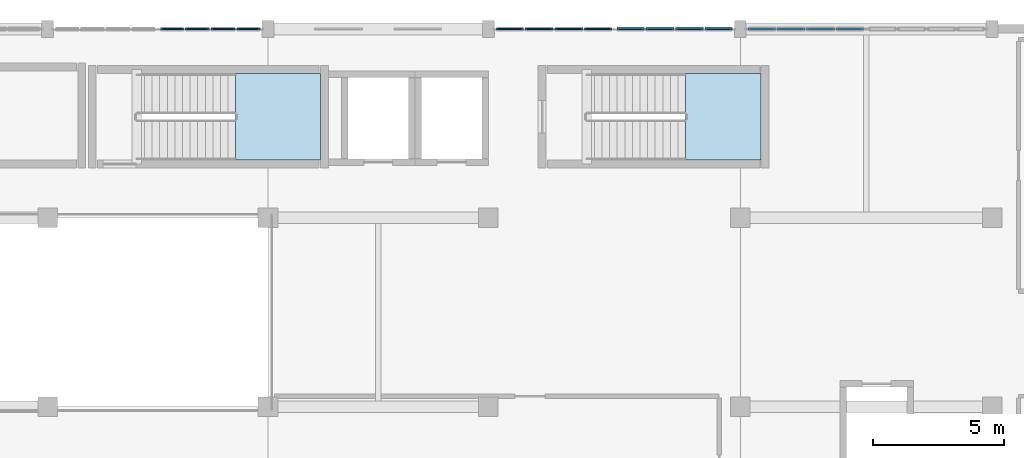
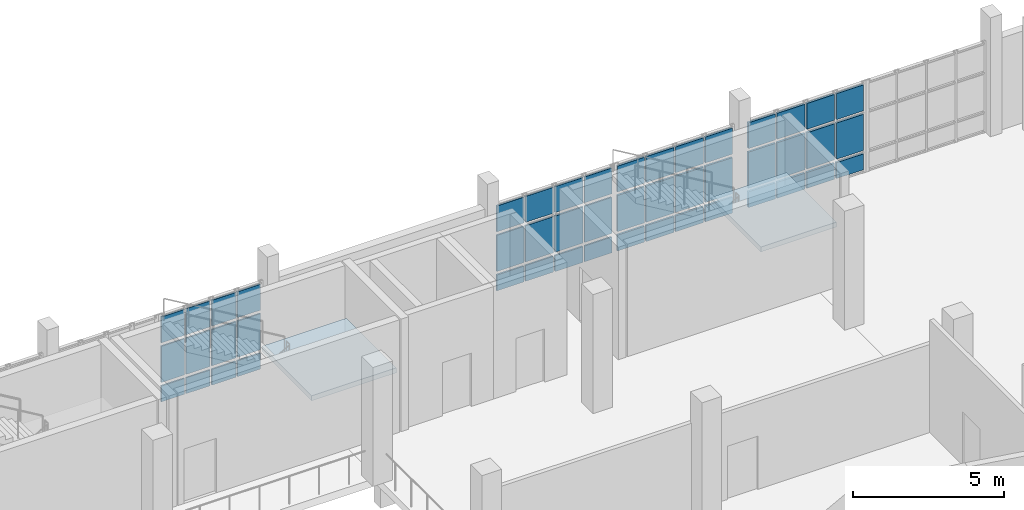
# One storey, part 73 of 106: 48 plates, 2 slabs, 6 elements without a shape of their own.
"""IFC4 building model written with IfcOpenShell, lengths in metres."""

from ifc_helpers import new_model, si_unit, direction, frame, origin, origin_2d, place, context, subcontext, project, spatial, polyline, rectangle, outline, extrude, material, layer, layer_set, type_object, element, aggregate, save


model = new_model("IFC4")

# Units and contexts
model_context = context("Model", 3, precision=1e-05, world=origin(), true_north=direction((0.0, 1.0)))
body_context = subcontext(model_context, "Body", "Model", "MODEL_VIEW")
ifc_project = project(units=[si_unit("LENGTHUNIT", "METRE"), si_unit("AREAUNIT", "SQUARE_METRE"), si_unit("VOLUMEUNIT", "CUBIC_METRE"), si_unit("PLANEANGLEUNIT", "RADIAN"), si_unit("MASSUNIT", "GRAM", prefix="KILO")], contexts=[model_context])

# Site, building, storey
site_placement = place(None, origin())
site = spatial("IfcSite", under=ifc_project, at=site_placement, CompositionType="ELEMENT")
building_placement = place(site_placement, origin())
building = spatial("IfcBuilding", under=site, at=building_placement, Name="Kisaragi Civic Commons", CompositionType="ELEMENT")
storey_placement = place(building_placement, frame((0.0, 0.0, 4.800048828125)))
storey = spatial("IfcBuildingStorey", under=building, at=storey_placement, Name="L01", CompositionType="ELEMENT", Elevation=4.800048828125)

# Curtain wall, plates
ifc_material_1 = material(Name="Thermally broken anodized aluminium and low-E double glazing", Category="aluminium")
ifc_layer_1 = layer(ifc_material_1, 0.179931640625, Name="Thermally broken anodized aluminium and low-E double glazing", Category="aluminium")
ifc_layer_set_1 = layer_set([ifc_layer_1], Name="Thermally broken anodized aluminium and low-E double glazing")
curtain_wall_type = type_object("IfcCurtainWallType", Name="CW-01", PredefinedType="NOTDEFINED", material=ifc_layer_set_1)
curtain_wall_1_placement = place(storey_placement, origin())
curtain_wall_1 = element("IfcCurtainWall", 1, at=curtain_wall_1_placement, inside=storey, type_object=curtain_wall_type, Name="L01 curtain wall CW-01 CW-V4-L01-064", PredefinedType="NOTDEFINED")
ifc_layer_2 = layer(ifc_material_1, 0.055908203125, Name="Thermally broken anodized aluminium and low-E double glazing", Category="aluminium")
ifc_layer_set_2 = layer_set([ifc_layer_2], Name="Thermally broken anodized aluminium and low-E double glazing")
plate_type_1 = type_object("IfcPlateType", Name="CWP-06", PredefinedType="CURTAIN_PANEL", material=ifc_layer_set_2)
plate_1_placement = place(storey_placement, frame((101.9462890625, 118.800048828125, 0.14013671875), z_axis=(0.0, 0.0, 1.0), x_axis=(1.0, 0.0, 0.0)))
plate_1 = element("IfcPlate", 2, at=plate_1_placement, type_object=plate_type_1, Name="CW-01 panel 1.1", PredefinedType="CURTAIN_PANEL", context=body_context, shape_type="SweptSolid", body=[
    extrude(rectangle(XDim=0.882568359375, YDim=0.055908203125, at=origin_2d()), origin(), (0.0, 0.0, 1.0), 0.639892578125),
])
plate_2_placement = place(storey_placement, frame((101.9462890625, 118.800048828125, 0.919921875), z_axis=(0.0, 0.0, 1.0), x_axis=(1.0, 0.0, 0.0)))
plate_2 = element("IfcPlate", 3, at=plate_2_placement, type_object=plate_type_1, Name="CW-01 panel 1.2", PredefinedType="CURTAIN_PANEL", context=body_context, shape_type="SweptSolid", body=[
    extrude(rectangle(XDim=0.882568359375, YDim=0.055908203125, at=origin_2d()), origin(), (0.0, 0.0, 1.0), 1.4599609375),
])
plate_3_placement = place(storey_placement, frame((101.9462890625, 118.800048828125, 2.52001953125), z_axis=(0.0, 0.0, 1.0), x_axis=(1.0, 0.0, 0.0)))
plate_3 = element("IfcPlate", 4, at=plate_3_placement, type_object=plate_type_1, Name="CW-01 panel 1.3", PredefinedType="CURTAIN_PANEL", context=body_context, shape_type="SweptSolid", body=[
    extrude(rectangle(XDim=0.882568359375, YDim=0.055908203125, at=origin_2d()), origin(), (0.0, 0.0, 1.0), 1.044921875),
])
plate_4_placement = place(storey_placement, frame((102.909912109375, 118.800048828125, 0.14013671875), z_axis=(0.0, 0.0, 1.0), x_axis=(1.0, 0.0, 0.0)))
plate_4 = element("IfcPlate", 5, at=plate_4_placement, type_object=plate_type_1, Name="CW-01 panel 2.1", PredefinedType="CURTAIN_PANEL", context=body_context, shape_type="SweptSolid", body=[
    extrude(rectangle(XDim=0.9150390625, YDim=0.055908203125, at=origin_2d()), origin(), (0.0, 0.0, 1.0), 0.639892578125),
])
plate_5_placement = place(storey_placement, frame((102.909912109375, 118.800048828125, 0.919921875), z_axis=(0.0, 0.0, 1.0), x_axis=(1.0, 0.0, 0.0)))
plate_5 = element("IfcPlate", 6, at=plate_5_placement, type_object=plate_type_1, Name="CW-01 panel 2.2", PredefinedType="CURTAIN_PANEL", context=body_context, shape_type="SweptSolid", body=[
    extrude(rectangle(XDim=0.9150390625, YDim=0.055908203125, at=origin_2d()), origin(), (0.0, 0.0, 1.0), 1.4599609375),
])
plate_6_placement = place(storey_placement, frame((102.909912109375, 118.800048828125, 2.52001953125), z_axis=(0.0, 0.0, 1.0), x_axis=(1.0, 0.0, 0.0)))
plate_6 = element("IfcPlate", 7, at=plate_6_placement, type_object=plate_type_1, Name="CW-01 panel 2.3", PredefinedType="CURTAIN_PANEL", context=body_context, shape_type="SweptSolid", body=[
    extrude(rectangle(XDim=0.9150390625, YDim=0.055908203125, at=origin_2d()), origin(), (0.0, 0.0, 1.0), 1.044921875),
])
plate_7_placement = place(storey_placement, frame((103.889892578125, 118.800048828125, 0.14013671875), z_axis=(0.0, 0.0, 1.0), x_axis=(1.0, 0.0, 0.0)))
plate_7 = element("IfcPlate", 8, at=plate_7_placement, type_object=plate_type_1, Name="CW-01 panel 3.1", PredefinedType="CURTAIN_PANEL", context=body_context, shape_type="SweptSolid", body=[
    extrude(rectangle(XDim=0.9150390625, YDim=0.055908203125, at=origin_2d()), origin(), (0.0, 0.0, 1.0), 0.639892578125),
])
plate_8_placement = place(storey_placement, frame((103.889892578125, 118.800048828125, 0.919921875), z_axis=(0.0, 0.0, 1.0), x_axis=(1.0, 0.0, 0.0)))
plate_8 = element("IfcPlate", 9, at=plate_8_placement, type_object=plate_type_1, Name="CW-01 panel 3.2", PredefinedType="CURTAIN_PANEL", context=body_context, shape_type="SweptSolid", body=[
    extrude(rectangle(XDim=0.9150390625, YDim=0.055908203125, at=origin_2d()), origin(), (0.0, 0.0, 1.0), 1.4599609375),
])
plate_9_placement = place(storey_placement, frame((103.889892578125, 118.800048828125, 2.52001953125), z_axis=(0.0, 0.0, 1.0), x_axis=(1.0, 0.0, 0.0)))
plate_9 = element("IfcPlate", 10, at=plate_9_placement, type_object=plate_type_1, Name="CW-01 panel 3.3", PredefinedType="CURTAIN_PANEL", context=body_context, shape_type="SweptSolid", body=[
    extrude(rectangle(XDim=0.9150390625, YDim=0.055908203125, at=origin_2d()), origin(), (0.0, 0.0, 1.0), 1.044921875),
])
plate_10_placement = place(storey_placement, frame((104.853759765625, 118.800048828125, 0.14013671875), z_axis=(0.0, 0.0, 1.0), x_axis=(1.0, 0.0, 0.0)))
plate_10 = element("IfcPlate", 11, at=plate_10_placement, type_object=plate_type_1, Name="CW-01 panel 4.1", PredefinedType="CURTAIN_PANEL", context=body_context, shape_type="SweptSolid", body=[
    extrude(rectangle(XDim=0.882568359375, YDim=0.055908203125, at=origin_2d()), origin(), (0.0, 0.0, 1.0), 0.639892578125),
])
plate_11_placement = place(storey_placement, frame((104.853759765625, 118.800048828125, 0.919921875), z_axis=(0.0, 0.0, 1.0), x_axis=(1.0, 0.0, 0.0)))
plate_11 = element("IfcPlate", 12, at=plate_11_placement, type_object=plate_type_1, Name="CW-01 panel 4.2", PredefinedType="CURTAIN_PANEL", context=body_context, shape_type="SweptSolid", body=[
    extrude(rectangle(XDim=0.882568359375, YDim=0.055908203125, at=origin_2d()), origin(), (0.0, 0.0, 1.0), 1.4599609375),
])
plate_12_placement = place(storey_placement, frame((104.853759765625, 118.800048828125, 2.52001953125), z_axis=(0.0, 0.0, 1.0), x_axis=(1.0, 0.0, 0.0)))
plate_12 = element("IfcPlate", 13, at=plate_12_placement, type_object=plate_type_1, Name="CW-01 panel 4.3", PredefinedType="CURTAIN_PANEL", context=body_context, shape_type="SweptSolid", body=[
    extrude(rectangle(XDim=0.882568359375, YDim=0.055908203125, at=origin_2d()), origin(), (0.0, 0.0, 1.0), 1.044921875),
])
aggregate(curtain_wall_1, [plate_1, plate_2, plate_3, plate_4, plate_5, plate_6, plate_7, plate_8, plate_9, plate_10, plate_11, plate_12])

curtain_wall_2_placement = place(storey_placement, origin())
curtain_wall_2 = element("IfcCurtainWall", 14, at=curtain_wall_2_placement, inside=storey, type_object=curtain_wall_type, Name="L01 curtain wall CW-01 CW-V4-L01-065", PredefinedType="NOTDEFINED")
ifc_layer_3 = layer(ifc_material_1, 0.06005859375, Name="Thermally broken anodized aluminium and low-E double glazing", Category="aluminium")
ifc_layer_set_3 = layer_set([ifc_layer_3], Name="Thermally broken anodized aluminium and low-E double glazing")
plate_type_2 = type_object("IfcPlateType", Name="CWP-07", PredefinedType="CURTAIN_PANEL", material=ifc_layer_set_3)
plate_13_placement = place(storey_placement, frame((114.8212890625, 118.800048828125, 0.14013671875), z_axis=(0.0, 0.0, 1.0), x_axis=(1.0, 0.0, 0.0)))
plate_13 = element("IfcPlate", 15, at=plate_13_placement, type_object=plate_type_2, Name="CW-01 panel 1.1", PredefinedType="CURTAIN_PANEL", context=body_context, shape_type="SweptSolid", body=[
    extrude(rectangle(XDim=1.032470703125, YDim=0.06005859375, at=origin_2d()), origin(), (0.0, 0.0, 1.0), 0.639892578125),
])
plate_14_placement = place(storey_placement, frame((114.8212890625, 118.800048828125, 0.919921875), z_axis=(0.0, 0.0, 1.0), x_axis=(1.0, 0.0, 0.0)))
plate_14 = element("IfcPlate", 16, at=plate_14_placement, type_object=plate_type_2, Name="CW-01 panel 1.2", PredefinedType="CURTAIN_PANEL", context=body_context, shape_type="SweptSolid", body=[
    extrude(rectangle(XDim=1.032470703125, YDim=0.06005859375, at=origin_2d()), origin(), (0.0, 0.0, 1.0), 1.4599609375),
])
plate_15_placement = place(storey_placement, frame((114.8212890625, 118.800048828125, 2.52001953125), z_axis=(0.0, 0.0, 1.0), x_axis=(1.0, 0.0, 0.0)))
plate_15 = element("IfcPlate", 17, at=plate_15_placement, type_object=plate_type_2, Name="CW-01 panel 1.3", PredefinedType="CURTAIN_PANEL", context=body_context, shape_type="SweptSolid", body=[
    extrude(rectangle(XDim=1.032470703125, YDim=0.06005859375, at=origin_2d()), origin(), (0.0, 0.0, 1.0), 1.044921875),
])
plate_16_placement = place(storey_placement, frame((115.93505859375, 118.800048828125, 0.14013671875), z_axis=(0.0, 0.0, 1.0), x_axis=(1.0, 0.0, 0.0)))
plate_16 = element("IfcPlate", 18, at=plate_16_placement, type_object=plate_type_2, Name="CW-01 panel 2.1", PredefinedType="CURTAIN_PANEL", context=body_context, shape_type="SweptSolid", body=[
    extrude(rectangle(XDim=1.06494140625, YDim=0.06005859375, at=origin_2d()), origin(), (0.0, 0.0, 1.0), 0.639892578125),
])
plate_17_placement = place(storey_placement, frame((115.93505859375, 118.800048828125, 0.919921875), z_axis=(0.0, 0.0, 1.0), x_axis=(1.0, 0.0, 0.0)))
plate_17 = element("IfcPlate", 19, at=plate_17_placement, type_object=plate_type_2, Name="CW-01 panel 2.2", PredefinedType="CURTAIN_PANEL", context=body_context, shape_type="SweptSolid", body=[
    extrude(rectangle(XDim=1.06494140625, YDim=0.06005859375, at=origin_2d()), origin(), (0.0, 0.0, 1.0), 1.4599609375),
])
plate_18_placement = place(storey_placement, frame((115.93505859375, 118.800048828125, 2.52001953125), z_axis=(0.0, 0.0, 1.0), x_axis=(1.0, 0.0, 0.0)))
plate_18 = element("IfcPlate", 20, at=plate_18_placement, type_object=plate_type_2, Name="CW-01 panel 2.3", PredefinedType="CURTAIN_PANEL", context=body_context, shape_type="SweptSolid", body=[
    extrude(rectangle(XDim=1.06494140625, YDim=0.06005859375, at=origin_2d()), origin(), (0.0, 0.0, 1.0), 1.044921875),
])
plate_19_placement = place(storey_placement, frame((117.06494140625, 118.800048828125, 0.14013671875), z_axis=(0.0, 0.0, 1.0), x_axis=(1.0, 0.0, 0.0)))
plate_19 = element("IfcPlate", 21, at=plate_19_placement, type_object=plate_type_2, Name="CW-01 panel 3.1", PredefinedType="CURTAIN_PANEL", context=body_context, shape_type="SweptSolid", body=[
    extrude(rectangle(XDim=1.06494140625, YDim=0.06005859375, at=origin_2d()), origin(), (0.0, 0.0, 1.0), 0.639892578125),
])
plate_20_placement = place(storey_placement, frame((117.06494140625, 118.800048828125, 0.919921875), z_axis=(0.0, 0.0, 1.0), x_axis=(1.0, 0.0, 0.0)))
plate_20 = element("IfcPlate", 22, at=plate_20_placement, type_object=plate_type_2, Name="CW-01 panel 3.2", PredefinedType="CURTAIN_PANEL", context=body_context, shape_type="SweptSolid", body=[
    extrude(rectangle(XDim=1.06494140625, YDim=0.06005859375, at=origin_2d()), origin(), (0.0, 0.0, 1.0), 1.4599609375),
])
plate_21_placement = place(storey_placement, frame((117.06494140625, 118.800048828125, 2.52001953125), z_axis=(0.0, 0.0, 1.0), x_axis=(1.0, 0.0, 0.0)))
plate_21 = element("IfcPlate", 23, at=plate_21_placement, type_object=plate_type_2, Name="CW-01 panel 3.3", PredefinedType="CURTAIN_PANEL", context=body_context, shape_type="SweptSolid", body=[
    extrude(rectangle(XDim=1.06494140625, YDim=0.06005859375, at=origin_2d()), origin(), (0.0, 0.0, 1.0), 1.044921875),
])
plate_22_placement = place(storey_placement, frame((118.1787109375, 118.800048828125, 0.14013671875), z_axis=(0.0, 0.0, 1.0), x_axis=(1.0, 0.0, 0.0)))
plate_22 = element("IfcPlate", 24, at=plate_22_placement, type_object=plate_type_2, Name="CW-01 panel 4.1", PredefinedType="CURTAIN_PANEL", context=body_context, shape_type="SweptSolid", body=[
    extrude(rectangle(XDim=1.032470703125, YDim=0.06005859375, at=origin_2d()), origin(), (0.0, 0.0, 1.0), 0.639892578125),
])
plate_23_placement = place(storey_placement, frame((118.1787109375, 118.800048828125, 0.919921875), z_axis=(0.0, 0.0, 1.0), x_axis=(1.0, 0.0, 0.0)))
plate_23 = element("IfcPlate", 25, at=plate_23_placement, type_object=plate_type_2, Name="CW-01 panel 4.2", PredefinedType="CURTAIN_PANEL", context=body_context, shape_type="SweptSolid", body=[
    extrude(rectangle(XDim=1.032470703125, YDim=0.06005859375, at=origin_2d()), origin(), (0.0, 0.0, 1.0), 1.4599609375),
])
plate_24_placement = place(storey_placement, frame((118.1787109375, 118.800048828125, 2.52001953125), z_axis=(0.0, 0.0, 1.0), x_axis=(1.0, 0.0, 0.0)))
plate_24 = element("IfcPlate", 26, at=plate_24_placement, type_object=plate_type_2, Name="CW-01 panel 4.3", PredefinedType="CURTAIN_PANEL", context=body_context, shape_type="SweptSolid", body=[
    extrude(rectangle(XDim=1.032470703125, YDim=0.06005859375, at=origin_2d()), origin(), (0.0, 0.0, 1.0), 1.044921875),
])
aggregate(curtain_wall_2, [plate_13, plate_14, plate_15, plate_16, plate_17, plate_18, plate_19, plate_20, plate_21, plate_22, plate_23, plate_24])

curtain_wall_3_placement = place(storey_placement, origin())
curtain_wall_3 = element("IfcCurtainWall", 27, at=curtain_wall_3_placement, inside=storey, type_object=curtain_wall_type, Name="L01 curtain wall CW-01 CW-V4-L01-066", PredefinedType="NOTDEFINED")
ifc_layer_4 = layer(ifc_material_1, 0.073974609375, Name="Thermally broken anodized aluminium and low-E double glazing", Category="aluminium")
ifc_layer_set_4 = layer_set([ifc_layer_4], Name="Thermally broken anodized aluminium and low-E double glazing")
plate_type_3 = type_object("IfcPlateType", Name="CWP-09", PredefinedType="CURTAIN_PANEL", material=ifc_layer_set_4)
plate_25_placement = place(storey_placement, frame((119.421142578125, 118.800048828125, 0.14013671875), z_axis=(0.0, 0.0, 1.0), x_axis=(1.0, 0.0, 0.0)))
plate_25 = element("IfcPlate", 28, at=plate_25_placement, type_object=plate_type_3, Name="CW-01 panel 1.1", PredefinedType="CURTAIN_PANEL", context=body_context, shape_type="SweptSolid", body=[
    extrude(rectangle(XDim=1.032470703125, YDim=0.073974609375, at=origin_2d()), origin(), (0.0, 0.0, 1.0), 0.639892578125),
])
plate_26_placement = place(storey_placement, frame((119.421142578125, 118.800048828125, 0.919921875), z_axis=(0.0, 0.0, 1.0), x_axis=(1.0, 0.0, 0.0)))
plate_26 = element("IfcPlate", 29, at=plate_26_placement, type_object=plate_type_3, Name="CW-01 panel 1.2", PredefinedType="CURTAIN_PANEL", context=body_context, shape_type="SweptSolid", body=[
    extrude(rectangle(XDim=1.032470703125, YDim=0.073974609375, at=origin_2d()), origin(), (0.0, 0.0, 1.0), 1.4599609375),
])
plate_27_placement = place(storey_placement, frame((119.421142578125, 118.800048828125, 2.52001953125), z_axis=(0.0, 0.0, 1.0), x_axis=(1.0, 0.0, 0.0)))
plate_27 = element("IfcPlate", 30, at=plate_27_placement, type_object=plate_type_3, Name="CW-01 panel 1.3", PredefinedType="CURTAIN_PANEL", context=body_context, shape_type="SweptSolid", body=[
    extrude(rectangle(XDim=1.032470703125, YDim=0.073974609375, at=origin_2d()), origin(), (0.0, 0.0, 1.0), 1.044921875),
])
plate_28_placement = place(storey_placement, frame((120.534912109375, 118.800048828125, 0.14013671875), z_axis=(0.0, 0.0, 1.0), x_axis=(1.0, 0.0, 0.0)))
plate_28 = element("IfcPlate", 31, at=plate_28_placement, type_object=plate_type_3, Name="CW-01 panel 2.1", PredefinedType="CURTAIN_PANEL", context=body_context, shape_type="SweptSolid", body=[
    extrude(rectangle(XDim=1.06494140625, YDim=0.073974609375, at=origin_2d()), origin(), (0.0, 0.0, 1.0), 0.639892578125),
])
plate_29_placement = place(storey_placement, frame((120.534912109375, 118.800048828125, 0.919921875), z_axis=(0.0, 0.0, 1.0), x_axis=(1.0, 0.0, 0.0)))
plate_29 = element("IfcPlate", 32, at=plate_29_placement, type_object=plate_type_3, Name="CW-01 panel 2.2", PredefinedType="CURTAIN_PANEL", context=body_context, shape_type="SweptSolid", body=[
    extrude(rectangle(XDim=1.06494140625, YDim=0.073974609375, at=origin_2d()), origin(), (0.0, 0.0, 1.0), 1.4599609375),
])
plate_30_placement = place(storey_placement, frame((120.534912109375, 118.800048828125, 2.52001953125), z_axis=(0.0, 0.0, 1.0), x_axis=(1.0, 0.0, 0.0)))
plate_30 = element("IfcPlate", 33, at=plate_30_placement, type_object=plate_type_3, Name="CW-01 panel 2.3", PredefinedType="CURTAIN_PANEL", context=body_context, shape_type="SweptSolid", body=[
    extrude(rectangle(XDim=1.06494140625, YDim=0.073974609375, at=origin_2d()), origin(), (0.0, 0.0, 1.0), 1.044921875),
])
plate_31_placement = place(storey_placement, frame((121.6650390625, 118.800048828125, 0.14013671875), z_axis=(0.0, 0.0, 1.0), x_axis=(1.0, 0.0, 0.0)))
plate_31 = element("IfcPlate", 34, at=plate_31_placement, type_object=plate_type_3, Name="CW-01 panel 3.1", PredefinedType="CURTAIN_PANEL", context=body_context, shape_type="SweptSolid", body=[
    extrude(rectangle(XDim=1.06494140625, YDim=0.073974609375, at=origin_2d()), origin(), (0.0, 0.0, 1.0), 0.639892578125),
])
plate_32_placement = place(storey_placement, frame((121.6650390625, 118.800048828125, 0.919921875), z_axis=(0.0, 0.0, 1.0), x_axis=(1.0, 0.0, 0.0)))
plate_32 = element("IfcPlate", 35, at=plate_32_placement, type_object=plate_type_3, Name="CW-01 panel 3.2", PredefinedType="CURTAIN_PANEL", context=body_context, shape_type="SweptSolid", body=[
    extrude(rectangle(XDim=1.06494140625, YDim=0.073974609375, at=origin_2d()), origin(), (0.0, 0.0, 1.0), 1.4599609375),
])
plate_33_placement = place(storey_placement, frame((121.6650390625, 118.800048828125, 2.52001953125), z_axis=(0.0, 0.0, 1.0), x_axis=(1.0, 0.0, 0.0)))
plate_33 = element("IfcPlate", 36, at=plate_33_placement, type_object=plate_type_3, Name="CW-01 panel 3.3", PredefinedType="CURTAIN_PANEL", context=body_context, shape_type="SweptSolid", body=[
    extrude(rectangle(XDim=1.06494140625, YDim=0.073974609375, at=origin_2d()), origin(), (0.0, 0.0, 1.0), 1.044921875),
])
plate_34_placement = place(storey_placement, frame((122.77880859375, 118.800048828125, 0.14013671875), z_axis=(0.0, 0.0, 1.0), x_axis=(1.0, 0.0, 0.0)))
plate_34 = element("IfcPlate", 37, at=plate_34_placement, type_object=plate_type_3, Name="CW-01 panel 4.1", PredefinedType="CURTAIN_PANEL", context=body_context, shape_type="SweptSolid", body=[
    extrude(rectangle(XDim=1.032470703125, YDim=0.073974609375, at=origin_2d()), origin(), (0.0, 0.0, 1.0), 0.639892578125),
])
plate_35_placement = place(storey_placement, frame((122.77880859375, 118.800048828125, 0.919921875), z_axis=(0.0, 0.0, 1.0), x_axis=(1.0, 0.0, 0.0)))
plate_35 = element("IfcPlate", 38, at=plate_35_placement, type_object=plate_type_3, Name="CW-01 panel 4.2", PredefinedType="CURTAIN_PANEL", context=body_context, shape_type="SweptSolid", body=[
    extrude(rectangle(XDim=1.032470703125, YDim=0.073974609375, at=origin_2d()), origin(), (0.0, 0.0, 1.0), 1.4599609375),
])
plate_36_placement = place(storey_placement, frame((122.77880859375, 118.800048828125, 2.52001953125), z_axis=(0.0, 0.0, 1.0), x_axis=(1.0, 0.0, 0.0)))
plate_36 = element("IfcPlate", 39, at=plate_36_placement, type_object=plate_type_3, Name="CW-01 panel 4.3", PredefinedType="CURTAIN_PANEL", context=body_context, shape_type="SweptSolid", body=[
    extrude(rectangle(XDim=1.032470703125, YDim=0.073974609375, at=origin_2d()), origin(), (0.0, 0.0, 1.0), 1.044921875),
])
aggregate(curtain_wall_3, [plate_25, plate_26, plate_27, plate_28, plate_29, plate_30, plate_31, plate_32, plate_33, plate_34, plate_35, plate_36])

curtain_wall_4_placement = place(storey_placement, origin())
curtain_wall_4 = element("IfcCurtainWall", 40, at=curtain_wall_4_placement, inside=storey, type_object=curtain_wall_type, Name="L01 curtain wall CW-01 CW-V4-L01-067", PredefinedType="NOTDEFINED")
ifc_layer_5 = layer(ifc_material_1, 0.080078125, Name="Thermally broken anodized aluminium and low-E double glazing", Category="aluminium")
ifc_layer_set_5 = layer_set([ifc_layer_5], Name="Thermally broken anodized aluminium and low-E double glazing")
plate_type_4 = type_object("IfcPlateType", Name="CWP-10", PredefinedType="CURTAIN_PANEL", material=ifc_layer_set_5)
plate_37_placement = place(storey_placement, frame((124.421142578125, 118.800048828125, 0.14013671875), z_axis=(0.0, 0.0, 1.0), x_axis=(1.0, 0.0, 0.0)))
plate_37 = element("IfcPlate", 41, at=plate_37_placement, type_object=plate_type_4, Name="CW-01 panel 1.1", PredefinedType="CURTAIN_PANEL", context=body_context, shape_type="SweptSolid", body=[
    extrude(rectangle(XDim=1.032470703125, YDim=0.080078125, at=origin_2d()), origin(), (0.0, 0.0, 1.0), 0.639892578125),
])
plate_38_placement = place(storey_placement, frame((124.421142578125, 118.800048828125, 0.919921875), z_axis=(0.0, 0.0, 1.0), x_axis=(1.0, 0.0, 0.0)))
plate_38 = element("IfcPlate", 42, at=plate_38_placement, type_object=plate_type_4, Name="CW-01 panel 1.2", PredefinedType="CURTAIN_PANEL", context=body_context, shape_type="SweptSolid", body=[
    extrude(rectangle(XDim=1.032470703125, YDim=0.080078125, at=origin_2d()), origin(), (0.0, 0.0, 1.0), 1.4599609375),
])
plate_39_placement = place(storey_placement, frame((124.421142578125, 118.800048828125, 2.52001953125), z_axis=(0.0, 0.0, 1.0), x_axis=(1.0, 0.0, 0.0)))
plate_39 = element("IfcPlate", 43, at=plate_39_placement, type_object=plate_type_4, Name="CW-01 panel 1.3", PredefinedType="CURTAIN_PANEL", context=body_context, shape_type="SweptSolid", body=[
    extrude(rectangle(XDim=1.032470703125, YDim=0.080078125, at=origin_2d()), origin(), (0.0, 0.0, 1.0), 1.044921875),
])
plate_40_placement = place(storey_placement, frame((125.534912109375, 118.800048828125, 0.14013671875), z_axis=(0.0, 0.0, 1.0), x_axis=(1.0, 0.0, 0.0)))
plate_40 = element("IfcPlate", 44, at=plate_40_placement, type_object=plate_type_4, Name="CW-01 panel 2.1", PredefinedType="CURTAIN_PANEL", context=body_context, shape_type="SweptSolid", body=[
    extrude(rectangle(XDim=1.06494140625, YDim=0.080078125, at=origin_2d()), origin(), (0.0, 0.0, 1.0), 0.639892578125),
])
plate_41_placement = place(storey_placement, frame((125.534912109375, 118.800048828125, 0.919921875), z_axis=(0.0, 0.0, 1.0), x_axis=(1.0, 0.0, 0.0)))
plate_41 = element("IfcPlate", 45, at=plate_41_placement, type_object=plate_type_4, Name="CW-01 panel 2.2", PredefinedType="CURTAIN_PANEL", context=body_context, shape_type="SweptSolid", body=[
    extrude(rectangle(XDim=1.06494140625, YDim=0.080078125, at=origin_2d()), origin(), (0.0, 0.0, 1.0), 1.4599609375),
])
plate_42_placement = place(storey_placement, frame((125.534912109375, 118.800048828125, 2.52001953125), z_axis=(0.0, 0.0, 1.0), x_axis=(1.0, 0.0, 0.0)))
plate_42 = element("IfcPlate", 46, at=plate_42_placement, type_object=plate_type_4, Name="CW-01 panel 2.3", PredefinedType="CURTAIN_PANEL", context=body_context, shape_type="SweptSolid", body=[
    extrude(rectangle(XDim=1.06494140625, YDim=0.080078125, at=origin_2d()), origin(), (0.0, 0.0, 1.0), 1.044921875),
])
plate_43_placement = place(storey_placement, frame((126.6650390625, 118.800048828125, 0.14013671875), z_axis=(0.0, 0.0, 1.0), x_axis=(1.0, 0.0, 0.0)))
plate_43 = element("IfcPlate", 47, at=plate_43_placement, type_object=plate_type_4, Name="CW-01 panel 3.1", PredefinedType="CURTAIN_PANEL", context=body_context, shape_type="SweptSolid", body=[
    extrude(rectangle(XDim=1.06494140625, YDim=0.080078125, at=origin_2d()), origin(), (0.0, 0.0, 1.0), 0.639892578125),
])
plate_44_placement = place(storey_placement, frame((126.6650390625, 118.800048828125, 0.919921875), z_axis=(0.0, 0.0, 1.0), x_axis=(1.0, 0.0, 0.0)))
plate_44 = element("IfcPlate", 48, at=plate_44_placement, type_object=plate_type_4, Name="CW-01 panel 3.2", PredefinedType="CURTAIN_PANEL", context=body_context, shape_type="SweptSolid", body=[
    extrude(rectangle(XDim=1.06494140625, YDim=0.080078125, at=origin_2d()), origin(), (0.0, 0.0, 1.0), 1.4599609375),
])
plate_45_placement = place(storey_placement, frame((126.6650390625, 118.800048828125, 2.52001953125), z_axis=(0.0, 0.0, 1.0), x_axis=(1.0, 0.0, 0.0)))
plate_45 = element("IfcPlate", 49, at=plate_45_placement, type_object=plate_type_4, Name="CW-01 panel 3.3", PredefinedType="CURTAIN_PANEL", context=body_context, shape_type="SweptSolid", body=[
    extrude(rectangle(XDim=1.06494140625, YDim=0.080078125, at=origin_2d()), origin(), (0.0, 0.0, 1.0), 1.044921875),
])
plate_46_placement = place(storey_placement, frame((127.77880859375, 118.800048828125, 0.14013671875), z_axis=(0.0, 0.0, 1.0), x_axis=(1.0, 0.0, 0.0)))
plate_46 = element("IfcPlate", 50, at=plate_46_placement, type_object=plate_type_4, Name="CW-01 panel 4.1", PredefinedType="CURTAIN_PANEL", context=body_context, shape_type="SweptSolid", body=[
    extrude(rectangle(XDim=1.032470703125, YDim=0.080078125, at=origin_2d()), origin(), (0.0, 0.0, 1.0), 0.639892578125),
])
plate_47_placement = place(storey_placement, frame((127.77880859375, 118.800048828125, 0.919921875), z_axis=(0.0, 0.0, 1.0), x_axis=(1.0, 0.0, 0.0)))
plate_47 = element("IfcPlate", 51, at=plate_47_placement, type_object=plate_type_4, Name="CW-01 panel 4.2", PredefinedType="CURTAIN_PANEL", context=body_context, shape_type="SweptSolid", body=[
    extrude(rectangle(XDim=1.032470703125, YDim=0.080078125, at=origin_2d()), origin(), (0.0, 0.0, 1.0), 1.4599609375),
])
plate_48_placement = place(storey_placement, frame((127.77880859375, 118.800048828125, 2.52001953125), z_axis=(0.0, 0.0, 1.0), x_axis=(1.0, 0.0, 0.0)))
plate_48 = element("IfcPlate", 52, at=plate_48_placement, type_object=plate_type_4, Name="CW-01 panel 4.3", PredefinedType="CURTAIN_PANEL", context=body_context, shape_type="SweptSolid", body=[
    extrude(rectangle(XDim=1.032470703125, YDim=0.080078125, at=origin_2d()), origin(), (0.0, 0.0, 1.0), 1.044921875),
])
aggregate(curtain_wall_4, [plate_37, plate_38, plate_39, plate_40, plate_41, plate_42, plate_43, plate_44, plate_45, plate_46, plate_47, plate_48])

# Stair, slab
ifc_material_2 = material(Name="Concrete Fc30", Category="concrete")
stair_type = type_object("IfcStairType", Name="ST-A", PredefinedType="HALF_TURN_STAIR", material=ifc_material_2)
stair_1_placement = place(storey_placement, origin())
stair_1 = element("IfcStair", 53, at=stair_1_placement, inside=storey, type_object=stair_type, Name="L01 Stair ST-L1", PredefinedType="HALF_TURN_STAIR")
ifc_layer_6 = layer(ifc_material_2, 0.199951171875, Name="Concrete Fc30", Category="concrete")
ifc_layer_set_6 = layer_set([ifc_layer_6], Name="Concrete Fc30")
slab_type = type_object("IfcSlabType", Name="STL-01", PredefinedType="LANDING", material=ifc_layer_set_6)
slab_1_placement = place(storey_placement, frame((0.0, 0.0, 2.199951171875)))
slab_1 = element("IfcSlab", 54, at=slab_1_placement, type_object=slab_type, Name="ST-L1 landing 1", PredefinedType="LANDING", context=body_context, shape_type="SweptSolid", body=[
    extrude(outline(polyline([(104.3701171875, 113.800048828125), (107.60009765625, 113.800048828125), (107.60009765625, 117.10009765625), (104.3701171875, 117.10009765625), (104.3701171875, 113.800048828125)])), origin(), (0.0, 0.0, 1.0), 0.199951171875),
])
aggregate(stair_1, [slab_1])

stair_2_placement = place(storey_placement, origin())
stair_2 = element("IfcStair", 55, at=stair_2_placement, inside=storey, type_object=stair_type, Name="L01 Stair ST-L2", PredefinedType="HALF_TURN_STAIR")
slab_2_placement = place(storey_placement, frame((0.0, 0.0, 2.199951171875)))
slab_2 = element("IfcSlab", 56, at=slab_2_placement, type_object=slab_type, Name="ST-L2 landing 1", PredefinedType="LANDING", context=body_context, shape_type="SweptSolid", body=[
    extrude(outline(polyline([(121.52001953125, 113.800048828125), (124.39990234375, 113.800048828125), (124.39990234375, 117.10009765625), (121.52001953125, 117.10009765625), (121.52001953125, 113.800048828125)])), origin(), (0.0, 0.0, 1.0), 0.199951171875),
])
aggregate(stair_2, [slab_2])

save(model, "model.ifc")
